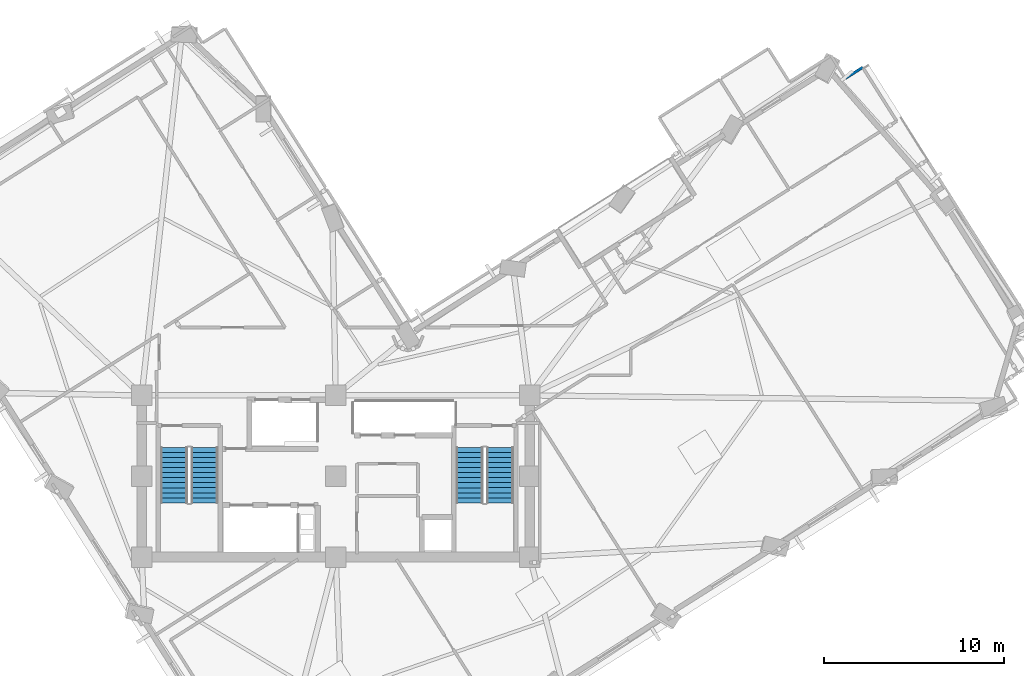
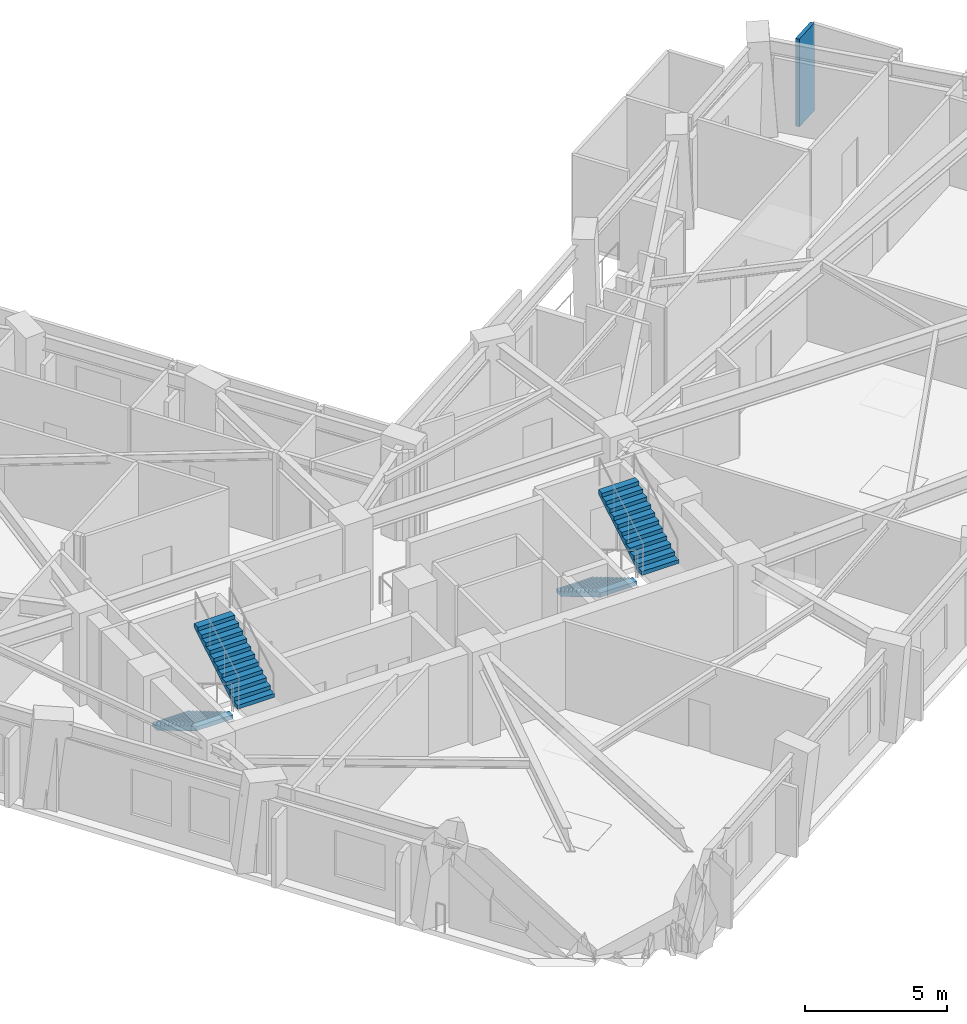
# One storey, part 9 of 14: 4 stair flights, 1 wall, 2 elements without a shape of their own.
"""IFC4 building model written with IfcOpenShell, lengths in metres."""

from ifc_helpers import new_model, si_unit, direction, frame, frame_2d, origin, place, context, subcontext, project, spatial, polyline, rectangle, outline, extrude, material, layer, layer_set, type_object, element, aggregate, save


model = new_model("IFC4")

# Units and contexts
model_context = context("Model", 3, precision=1e-05, world=origin(), true_north=direction((0.0, 1.0)))
body_context = subcontext(model_context, "Body", "Model", "MODEL_VIEW")
ifc_project = project(units=[si_unit("LENGTHUNIT", "METRE"), si_unit("AREAUNIT", "SQUARE_METRE"), si_unit("VOLUMEUNIT", "CUBIC_METRE"), si_unit("PLANEANGLEUNIT", "RADIAN"), si_unit("MASSUNIT", "GRAM", prefix="KILO")], contexts=[model_context])

# Site, building, storey
site_placement = place(None, origin())
site = spatial("IfcSite", under=ifc_project, at=site_placement, CompositionType="ELEMENT")
building_placement = place(site_placement, origin())
building = spatial("IfcBuilding", under=site, at=building_placement, Name="Gaonmaruhae Medical Tower", CompositionType="ELEMENT")
storey_placement = place(building_placement, frame((0.0, 0.0, 161.800048828125)))
storey = spatial("IfcBuildingStorey", under=building, at=storey_placement, Name="L38", CompositionType="ELEMENT", Elevation=161.800048828125)

# Wall
ifc_material_1 = material(Name="Gypsum board partition", Category="gypsum")
ifc_layer = layer(ifc_material_1, 0.14990234375)
ifc_layer_set = layer_set([ifc_layer], Name="Gypsum board partition")
wall_type = type_object("IfcWallType", Name="PW-150 Rated Clinical Corridor Partition", PredefinedType="PARTITIONING", material=ifc_layer_set)
wall_placement = place(storey_placement, frame((53.1708984375, 34.450927734375, 0.0), z_axis=(0.0, 0.0, 1.0), x_axis=(0.845015692046, 0.53474150783, 0.0)))
element("IfcWall", 1, at=wall_placement, inside=storey, type_object=wall_type, Name="L38 Interior Partition L38-IE03-77", PredefinedType="PARTITIONING", context=body_context, shape_type="SweptSolid", body=[
    extrude(rectangle(XDim=1.140869140625, YDim=0.14990234375, at=frame_2d((0.5703125, 0.0))), origin(), (0.0, 0.0, 1.0), 3.780029296875),
])

# Stair, stair flights
ifc_material_2 = material(Name="Concrete C40/50", Category="concrete")
stair_type = type_object("IfcStairType", Name="ST-T1 Primary Core Escape Dogleg Stair", PredefinedType="TWO_QUARTER_TURN_STAIR", material=ifc_material_2)
stair_1_placement = place(storey_placement, origin())
stair_1 = element("IfcStair", 2, at=stair_1_placement, inside=storey, type_object=stair_type, Name="L38 Protected Escape Stair ST-01", PredefinedType="TWO_QUARTER_TURN_STAIR")
stair_flight_type = type_object("IfcStairFlightType", Name="SF-T1 Primary Core Precast Stair Flight", PredefinedType="STRAIGHT", material=ifc_material_2)
stair_flight_1_placement = place(storey_placement, frame((15.800048828125, 13.89990234375, 0.0), z_axis=(0.0, 0.0, 1.0), x_axis=(0.0, -1.0, 0.0)))
stair_flight_1 = element("IfcStairFlight", 3, at=stair_flight_1_placement, type_object=stair_flight_type, Name="ST-01 flight 1", NumberOfRisers=12, NumberOfTreads=11, PredefinedType="STRAIGHT", RiserHeight=0.166666667, TreadLength=0.28, context=body_context, shape_type="SweptSolid", body=[
    extrude(outline(polyline([(0.0, 0.0), (0.0, 0.166748046875), (0.280029296875, 0.166748046875), (0.280029296875, 0.333251953125), (0.56005859375, 0.333251953125), (0.56005859375, 0.5), (0.840087890625, 0.5), (0.840087890625, 0.666748046875), (1.1201171875, 0.666748046875), (1.1201171875, 0.833251953125), (1.39990234375, 0.833251953125), (1.39990234375, 1.0), (1.679931640625, 1.0), (1.679931640625, 1.166748046875), (1.9599609375, 1.166748046875), (1.9599609375, 1.333251953125), (2.239990234375, 1.333251953125), (2.239990234375, 1.5), (2.52001953125, 1.5), (2.52001953125, 1.666748046875), (2.800048828125, 1.666748046875), (2.800048828125, 1.833251953125), (3.080078125, 1.833251953125), (3.080078125, 2.0), (3.080078125, 1.658935546875), (0.29296875, 0.0), (0.0, 0.0)])), frame((0.0, 0.75, 0.0), z_axis=(0.0, -1.0, 0.0), x_axis=(1.0, 0.0, 0.0)), (0.0, 0.0, 1.0), 1.5),
])
stair_flight_2_placement = place(storey_placement, frame((17.5, 10.820068359375, 2.0), z_axis=(0.0, 0.0, 1.0), x_axis=(0.0, 1.0, 0.0)))
stair_flight_2 = element("IfcStairFlight", 4, at=stair_flight_2_placement, type_object=stair_flight_type, Name="ST-01 flight 2", NumberOfRisers=12, NumberOfTreads=11, PredefinedType="STRAIGHT", RiserHeight=0.166666667, TreadLength=0.28, context=body_context, shape_type="SweptSolid", body=[
    extrude(outline(polyline([(0.0, 0.0), (0.0, 0.166748046875), (0.280029296875, 0.166748046875), (0.280029296875, 0.333251953125), (0.56005859375, 0.333251953125), (0.56005859375, 0.5), (0.840087890625, 0.5), (0.840087890625, 0.666748046875), (1.1201171875, 0.666748046875), (1.1201171875, 0.833251953125), (1.39990234375, 0.833251953125), (1.39990234375, 1.0), (1.679931640625, 1.0), (1.679931640625, 1.166748046875), (1.9599609375, 1.166748046875), (1.9599609375, 1.333251953125), (2.239990234375, 1.333251953125), (2.239990234375, 1.5), (2.52001953125, 1.5), (2.52001953125, 1.666748046875), (2.800048828125, 1.666748046875), (2.800048828125, 1.833251953125), (3.080078125, 1.833251953125), (3.080078125, 2.0), (3.080078125, 1.658935546875), (0.29296875, 0.0), (0.0, 0.0)])), frame((0.0, 0.75, 0.0), z_axis=(0.0, -1.0, 0.0), x_axis=(1.0, 0.0, 0.0)), (0.0, 0.0, 1.0), 1.5),
])
aggregate(stair_1, [stair_flight_1, stair_flight_2])

stair_2_placement = place(storey_placement, origin())
stair_2 = element("IfcStair", 5, at=stair_2_placement, inside=storey, type_object=stair_type, Name="L38 Protected Escape Stair ST-02", PredefinedType="TWO_QUARTER_TURN_STAIR")
stair_flight_3_placement = place(storey_placement, frame((32.25, 13.89990234375, 0.0), z_axis=(0.0, 0.0, 1.0), x_axis=(0.0, -1.0, 0.0)))
stair_flight_3 = element("IfcStairFlight", 6, at=stair_flight_3_placement, type_object=stair_flight_type, Name="ST-02 flight 1", NumberOfRisers=12, NumberOfTreads=11, PredefinedType="STRAIGHT", RiserHeight=0.166666667, TreadLength=0.28, context=body_context, shape_type="SweptSolid", body=[
    extrude(outline(polyline([(0.0, 0.0), (0.0, 0.166748046875), (0.280029296875, 0.166748046875), (0.280029296875, 0.333251953125), (0.56005859375, 0.333251953125), (0.56005859375, 0.5), (0.840087890625, 0.5), (0.840087890625, 0.666748046875), (1.1201171875, 0.666748046875), (1.1201171875, 0.833251953125), (1.39990234375, 0.833251953125), (1.39990234375, 1.0), (1.679931640625, 1.0), (1.679931640625, 1.166748046875), (1.9599609375, 1.166748046875), (1.9599609375, 1.333251953125), (2.239990234375, 1.333251953125), (2.239990234375, 1.5), (2.52001953125, 1.5), (2.52001953125, 1.666748046875), (2.800048828125, 1.666748046875), (2.800048828125, 1.833251953125), (3.080078125, 1.833251953125), (3.080078125, 2.0), (3.080078125, 1.658935546875), (0.29296875, 0.0), (0.0, 0.0)])), frame((0.0, 0.75, 0.0), z_axis=(0.0, -1.0, 0.0), x_axis=(1.0, 0.0, 0.0)), (0.0, 0.0, 1.0), 1.5),
])
stair_flight_4_placement = place(storey_placement, frame((33.949951171875, 10.820068359375, 2.0), z_axis=(0.0, 0.0, 1.0), x_axis=(0.0, 1.0, 0.0)))
stair_flight_4 = element("IfcStairFlight", 7, at=stair_flight_4_placement, type_object=stair_flight_type, Name="ST-02 flight 2", NumberOfRisers=12, NumberOfTreads=11, PredefinedType="STRAIGHT", RiserHeight=0.166666667, TreadLength=0.28, context=body_context, shape_type="SweptSolid", body=[
    extrude(outline(polyline([(0.0, 0.0), (0.0, 0.166748046875), (0.280029296875, 0.166748046875), (0.280029296875, 0.333251953125), (0.56005859375, 0.333251953125), (0.56005859375, 0.5), (0.840087890625, 0.5), (0.840087890625, 0.666748046875), (1.1201171875, 0.666748046875), (1.1201171875, 0.833251953125), (1.39990234375, 0.833251953125), (1.39990234375, 1.0), (1.679931640625, 1.0), (1.679931640625, 1.166748046875), (1.9599609375, 1.166748046875), (1.9599609375, 1.333251953125), (2.239990234375, 1.333251953125), (2.239990234375, 1.5), (2.52001953125, 1.5), (2.52001953125, 1.666748046875), (2.800048828125, 1.666748046875), (2.800048828125, 1.833251953125), (3.080078125, 1.833251953125), (3.080078125, 2.0), (3.080078125, 1.658935546875), (0.29296875, 0.0), (0.0, 0.0)])), frame((0.0, 0.75, 0.0), z_axis=(0.0, -1.0, 0.0), x_axis=(1.0, 0.0, 0.0)), (0.0, 0.0, 1.0), 1.5),
])
aggregate(stair_2, [stair_flight_3, stair_flight_4])

save(model, "model.ifc")
